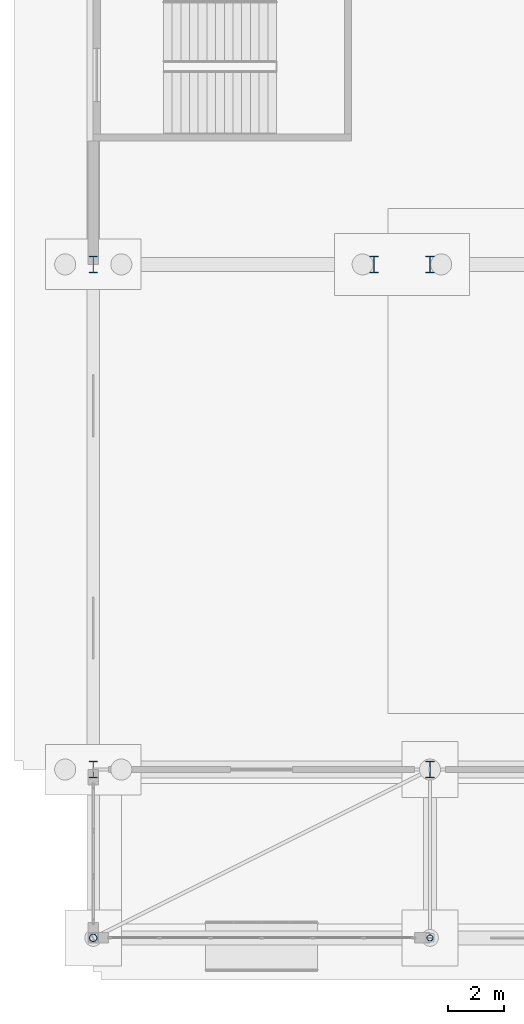
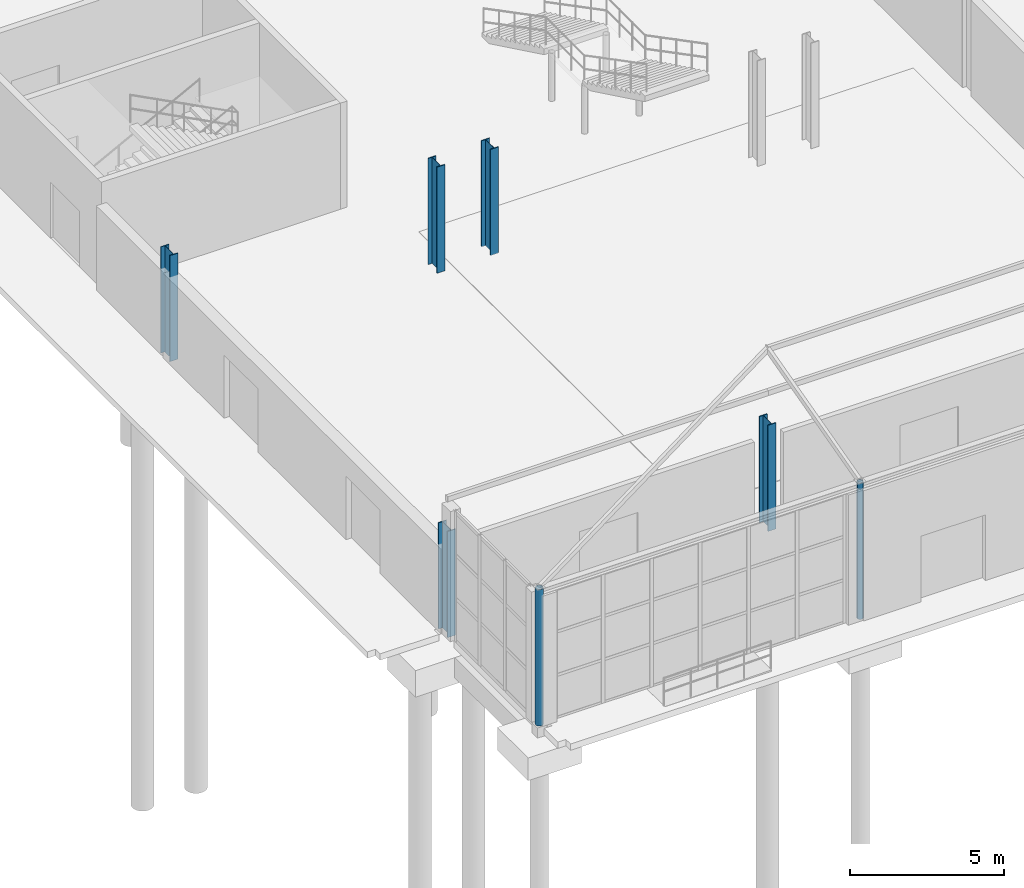
# One storey, part 10 of 77: 7 columns.
"""IFC4 building model written with IfcOpenShell, lengths in metres."""

from ifc_helpers import new_model, si_unit, direction, frame, origin, origin_2d, place, context, subcontext, project, spatial, hollow_circle, i_section, extrude, material, material_profile, profile_set, type_object, element, save


model = new_model("IFC4")

# Units and contexts
model_context = context("Model", 3, precision=1e-05, world=origin(), true_north=direction((0.0, 1.0)))
body_context = subcontext(model_context, "Body", "Model", "MODEL_VIEW")
ifc_project = project(units=[si_unit("LENGTHUNIT", "METRE"), si_unit("AREAUNIT", "SQUARE_METRE"), si_unit("VOLUMEUNIT", "CUBIC_METRE"), si_unit("PLANEANGLEUNIT", "RADIAN"), si_unit("MASSUNIT", "GRAM", prefix="KILO")], contexts=[model_context])

# Site, building, storey
site_placement = place(None, origin())
site = spatial("IfcSite", under=ifc_project, at=site_placement, CompositionType="ELEMENT")
building_placement = place(site_placement, origin())
building = spatial("IfcBuilding", under=site, at=building_placement, Name="Zilviju Railside Exhibition Hall", CompositionType="ELEMENT")
storey_placement = place(building_placement, origin())
storey = spatial("IfcBuildingStorey", under=building, at=storey_placement, Name="L01", CompositionType="ELEMENT", Elevation=0.0)

# Columns
ifc_material_1 = material(Name="Steel S355ML", Category="steel")
ifc_material_profile_1 = material_profile(ifc_material_1, hollow_circle(Radius=0.109619140625, WallThickness=0.010009765625, at=origin_2d()), Name="CHS 219.1x10.0")
ifc_profile_set_1 = profile_set([ifc_material_profile_1], Name="Steel S355ML")
column_type_1 = type_object("IfcColumnType", Name="COL-ST-CHS219", PredefinedType="COLUMN", material=ifc_profile_set_1)
column_1_placement = place(storey_placement, frame((60.0, -6.0, 0.0), z_axis=(0.0, 0.0, 1.0), x_axis=(1.0, 0.0, 0.0)))
element("IfcColumn", 1, at=column_1_placement, inside=storey, type_object=column_type_1, Name="Structural Column L01 (60.0, -6.0)", PredefinedType="COLUMN", context=body_context, shape_type="SweptSolid", body=[
    extrude(hollow_circle(Radius=0.109619140625, WallThickness=0.010009765625, at=origin_2d()), origin(), (0.0, 0.0, 1.0), 5.39990234375),
])
ifc_material_profile_2 = material_profile(ifc_material_1, hollow_circle(Radius=0.136474609375, WallThickness=0.012451171875, at=origin_2d()), Name="CHS 273.0x12.5")
ifc_profile_set_2 = profile_set([ifc_material_profile_2], Name="Steel S355ML")
column_type_2 = type_object("IfcColumnType", Name="COL-ST-CHS273", PredefinedType="COLUMN", material=ifc_profile_set_2)
column_2_placement = place(storey_placement, frame((48.0, -6.0, 0.0), z_axis=(0.0, 0.0, 1.0), x_axis=(1.0, 0.0, 0.0)))
element("IfcColumn", 2, at=column_2_placement, inside=storey, type_object=column_type_2, Name="Structural Column L01 (48.0, -6.0)", PredefinedType="COLUMN", context=body_context, shape_type="SweptSolid", body=[
    extrude(hollow_circle(Radius=0.136474609375, WallThickness=0.012451171875, at=origin_2d()), origin(), (0.0, 0.0, 1.0), 5.39990234375),
])
ifc_material_2 = material(Name="Steel S355J2", Category="steel")
ifc_material_profile_3 = material_profile(ifc_material_2, i_section(OverallWidth=0.300048828125, OverallDepth=0.60009765625, WebThickness=0.015380859375, FlangeThickness=0.030029296875, at=origin_2d()), Name="HEB 600")
ifc_profile_set_3 = profile_set([ifc_material_profile_3], Name="Steel S355J2")
column_type_3 = type_object("IfcColumnType", Name="COL-ST-HEB600", PredefinedType="COLUMN", material=ifc_profile_set_3)
for number, where, z_axis, x_axis, name in (
    (3, (48.0, 0.0, 0.0), (0.0, 0.0, 1.0), (1.0, 0.0, 0.0), "Structural Column L01 (48.0, 0.0)"),
    (4, (60.0, 0.0, 0.0), (0.0, 0.0, 1.0), (1.0, 0.0, 0.0), "Structural Column L01 (60.0, 0.0)"),
    (5, (48.0, 18.0, 0.0), (0.0, 0.0, 1.0), (1.0, 0.0, 0.0), "Structural Column L01 (48.0, 18.0)"),
    (6, (58.0, 18.0, 0.0), (0.0, 0.0, 1.0), (1.0, 0.0, 0.0), "Structural Column L01 (58.0, 18.0)"),
    (7, (60.0, 18.0, 0.0), (0.0, 0.0, 1.0), (1.0, 0.0, 0.0), "Structural Column L01 (60.0, 18.0)"),
):
    element("IfcColumn", number, at=place(storey_placement, frame(where, z_axis=z_axis, x_axis=x_axis)), inside=storey, type_object=column_type_3, Name=name, PredefinedType="COLUMN", context=body_context, shape_type="SweptSolid", body=[
        extrude(i_section(OverallWidth=0.300048828125, OverallDepth=0.60009765625, WebThickness=0.015380859375, FlangeThickness=0.030029296875, at=origin_2d()), origin(), (0.0, 0.0, 1.0), 4.199951171875),
    ])

save(model, "model.ifc")
